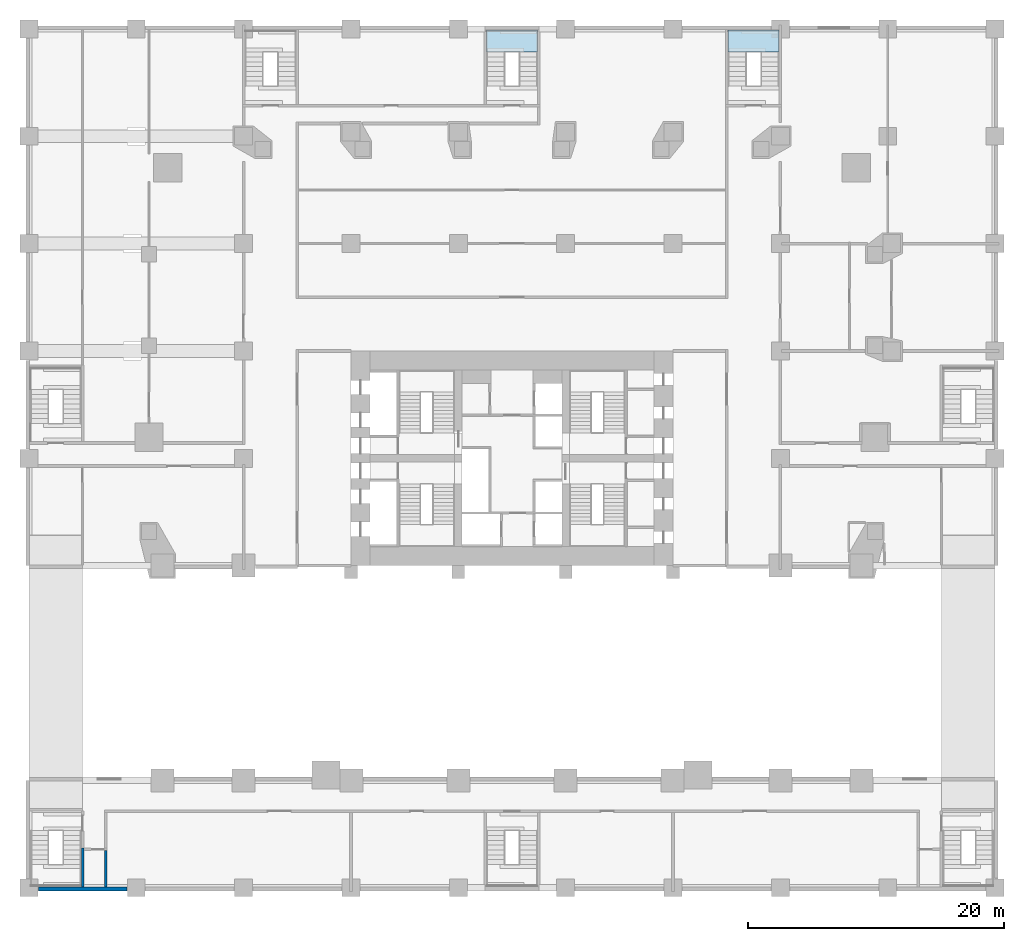
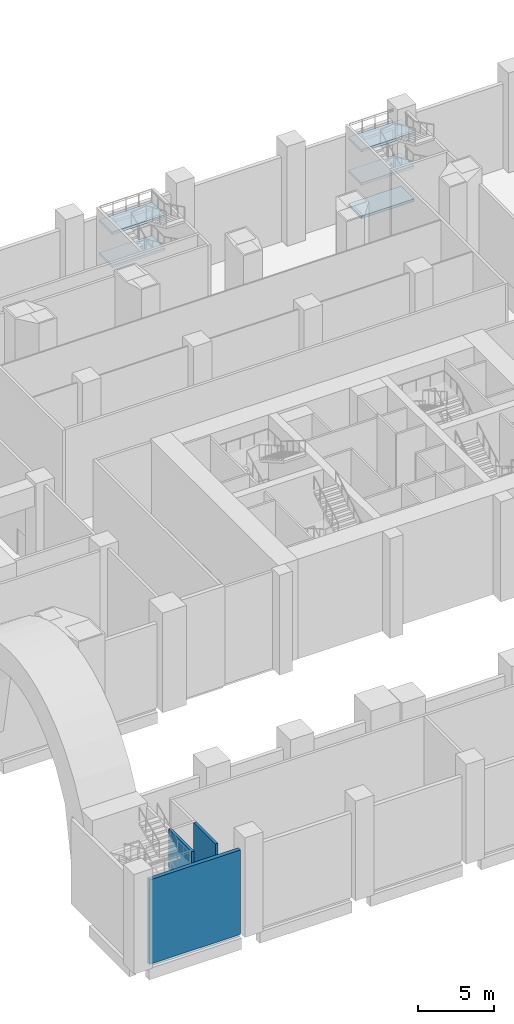
# One storey, part 4 of 19: 5 slabs, 3 walls, 2 elements without a shape of their own.
"""IFC4 building model written with IfcOpenShell, lengths in metres."""

from ifc_helpers import new_model, si_unit, direction, frame, frame_2d, origin, place, context, subcontext, project, spatial, polyline, rectangle, outline, extrude, material, layer, layer_set, type_object, element, aggregate, save


model = new_model("IFC4")

# Units and contexts
model_context = context("Model", 3, precision=1e-05, world=origin(), true_north=direction((0.0, 1.0)))
body_context = subcontext(model_context, "Body", "Model", "MODEL_VIEW")
ifc_project = project(units=[si_unit("LENGTHUNIT", "METRE"), si_unit("AREAUNIT", "SQUARE_METRE"), si_unit("VOLUMEUNIT", "CUBIC_METRE"), si_unit("PLANEANGLEUNIT", "RADIAN"), si_unit("MASSUNIT", "GRAM", prefix="KILO")], contexts=[model_context])

# Site, building, storey
site_placement = place(None, origin())
site = spatial("IfcSite", under=ifc_project, at=site_placement, CompositionType="ELEMENT")
building_placement = place(site_placement, origin())
building = spatial("IfcBuilding", under=site, at=building_placement, Name="Marenta Gate Hotel Tower", CompositionType="ELEMENT")
storey_placement = place(building_placement, frame((0.0, 0.0, 13.0)))
storey = spatial("IfcBuildingStorey", under=building, at=storey_placement, Name="L02", CompositionType="ELEMENT", Elevation=13.0)

# Stair, slabs
ifc_material_1 = material(Name="Concrete C40", Category="concrete")
stair_type = type_object("IfcStairType", Name="Podium exit stair 1430 wide", PredefinedType="HALF_TURN_STAIR", material=ifc_material_1)
stair_1_placement = place(storey_placement, origin())
stair_1 = element("IfcStair", 1, at=stair_1_placement, inside=storey, type_object=stair_type, Name="Podium exit stair 4", PredefinedType="HALF_TURN_STAIR")
ifc_material_2 = material(Name="Concrete C40", Category="concrete")
ifc_layer_1 = layer(ifc_material_2, 0.199951171875)
ifc_layer_set_1 = layer_set([ifc_layer_1], Name="Concrete C40")
slab_type = type_object("IfcSlabType", Name="Core stair landing 200", PredefinedType="LANDING", material=ifc_layer_set_1)
slab_1_placement = place(storey_placement, frame((0.0, 0.0, 1.13330078125)))
slab_1 = element("IfcSlab", 2, at=slab_1_placement, type_object=slab_type, Name="SL-200 PX4 landing 1", PredefinedType="LANDING", context=body_context, shape_type="SweptSolid", body=[
    extrude(outline(polyline([(16.89990234375, 40.18994140625), (20.89990234375, 40.18994140625), (20.89990234375, 41.89990234375), (16.89990234375, 41.89990234375), (16.89990234375, 40.18994140625)])), origin(), (0.0, 0.0, 1.0), 0.199951171875),
])
slab_2_placement = place(storey_placement, frame((0.0, 0.0, 3.800048828125)))
slab_2 = element("IfcSlab", 3, at=slab_2_placement, type_object=slab_type, Name="SL-200 PX4 landing 3", PredefinedType="LANDING", context=body_context, shape_type="SweptSolid", body=[
    extrude(outline(polyline([(16.89990234375, 40.18994140625), (20.89990234375, 40.18994140625), (20.89990234375, 41.89990234375), (16.89990234375, 41.89990234375), (16.89990234375, 40.18994140625)])), origin(), (0.0, 0.0, 1.0), 0.199951171875),
])
slab_3_placement = place(storey_placement, frame((0.0, 0.0, 6.466552734375)))
slab_3 = element("IfcSlab", 4, at=slab_3_placement, type_object=slab_type, Name="SL-200 PX4 landing 5", PredefinedType="LANDING", context=body_context, shape_type="SweptSolid", body=[
    extrude(outline(polyline([(16.89990234375, 40.18994140625), (20.89990234375, 40.18994140625), (20.89990234375, 41.89990234375), (16.89990234375, 41.89990234375), (16.89990234375, 40.18994140625)])), origin(), (0.0, 0.0, 1.0), 0.2001953125),
])
aggregate(stair_1, [slab_1, slab_2, slab_3])

stair_2_placement = place(storey_placement, origin())
stair_2 = element("IfcStair", 5, at=stair_2_placement, inside=storey, type_object=stair_type, Name="Podium exit stair 8", PredefinedType="HALF_TURN_STAIR")
slab_4_placement = place(storey_placement, frame((0.0, 0.0, 3.800048828125)))
slab_4 = element("IfcSlab", 6, at=slab_4_placement, type_object=slab_type, Name="SL-200 PX8 landing 3", PredefinedType="LANDING", context=body_context, shape_type="SweptSolid", body=[
    extrude(outline(polyline([(-2.0, 40.18994140625), (2.0, 40.18994140625), (2.0, 41.89990234375), (-2.0, 41.89990234375), (-2.0, 40.18994140625)])), origin(), (0.0, 0.0, 1.0), 0.199951171875),
])
slab_5_placement = place(storey_placement, frame((0.0, 0.0, 6.466552734375)))
slab_5 = element("IfcSlab", 7, at=slab_5_placement, type_object=slab_type, Name="SL-200 PX8 landing 5", PredefinedType="LANDING", context=body_context, shape_type="SweptSolid", body=[
    extrude(outline(polyline([(-2.0, 40.18994140625), (2.0, 40.18994140625), (2.0, 41.89990234375), (-2.0, 41.89990234375), (-2.0, 40.18994140625)])), origin(), (0.0, 0.0, 1.0), 0.2001953125),
])
aggregate(stair_2, [slab_4, slab_5])

# Walls
ifc_material_3 = material(Name="Concrete C40 board-marked", Category="concrete")
ifc_layer_2 = layer(ifc_material_3, 0.300048828125)
ifc_layer_set_2 = layer_set([ifc_layer_2], Name="Concrete C40 board-marked")
wall_type_1 = type_object("IfcWallType", Name="Board-marked concrete wall 300 mm", PredefinedType="NOTDEFINED", material=ifc_layer_set_2)
wall_1_placement = place(storey_placement, frame((-37.06005859375, -25.2900390625, 0.0), z_axis=(0.0, 0.0, 1.0), x_axis=(1.0, 0.0, 0.0)))
element("IfcWall", 8, at=wall_1_placement, inside=storey, type_object=wall_type_1, Name="L02-CLD-SB-S000", PredefinedType="NOTDEFINED", context=body_context, shape_type="SweptSolid", body=[
    extrude(rectangle(XDim=6.920166015625, YDim=0.300048828125, at=frame_2d((3.4599609375, 0.0))), origin(), (0.0, 0.0, 1.0), 6.780029296875),
])
ifc_material_4 = material(Name="Concrete blockwork", Category="masonry")
ifc_layer_3 = layer(ifc_material_4, 0.199951171875)
ifc_layer_set_3 = layer_set([ifc_layer_3], Name="Concrete blockwork")
wall_type_2 = type_object("IfcWallType", Name="Room party wall 200 EI 120", PredefinedType="PARTITIONING", material=ifc_layer_set_3)
wall_2_placement = place(storey_placement, frame((-31.800048828125, -25.139892578125, 0.0), z_axis=(0.0, 0.0, 1.0), x_axis=(0.0, 1.0, 0.0)))
element("IfcWall", 9, at=wall_2_placement, inside=storey, type_object=wall_type_2, Name="L02-PTN-W064", PredefinedType="PARTITIONING", context=body_context, shape_type="SweptSolid", body=[
    extrude(rectangle(XDim=2.83984375, YDim=0.199951171875, at=frame_2d((1.419921875, 0.0))), origin(), (0.0, 0.0, 1.0), 7.679931640625),
])
ifc_material_5 = material(Name="Concrete blockwork", Category="masonry")
ifc_layer_4 = layer(ifc_material_5, 0.199951171875)
ifc_layer_set_4 = layer_set([ifc_layer_4], Name="Concrete blockwork")
wall_type_3 = type_object("IfcWallType", Name="Room party wall 200 REI 180", PredefinedType="PARTITIONING", material=ifc_layer_set_4)
wall_3_placement = place(storey_placement, frame((-33.60009765625, -25.139892578125, 0.0), z_axis=(0.0, 0.0, 1.0), x_axis=(0.0, 1.0, 0.0)))
element("IfcWall", 10, at=wall_3_placement, inside=storey, type_object=wall_type_3, Name="L02-PTN-W066", PredefinedType="PARTITIONING", context=body_context, shape_type="SweptSolid", body=[
    extrude(rectangle(XDim=3.039794921875, YDim=0.199951171875, at=frame_2d((1.52001953125, 0.0))), origin(), (0.0, 0.0, 1.0), 7.679931640625),
])

save(model, "model.ifc")
